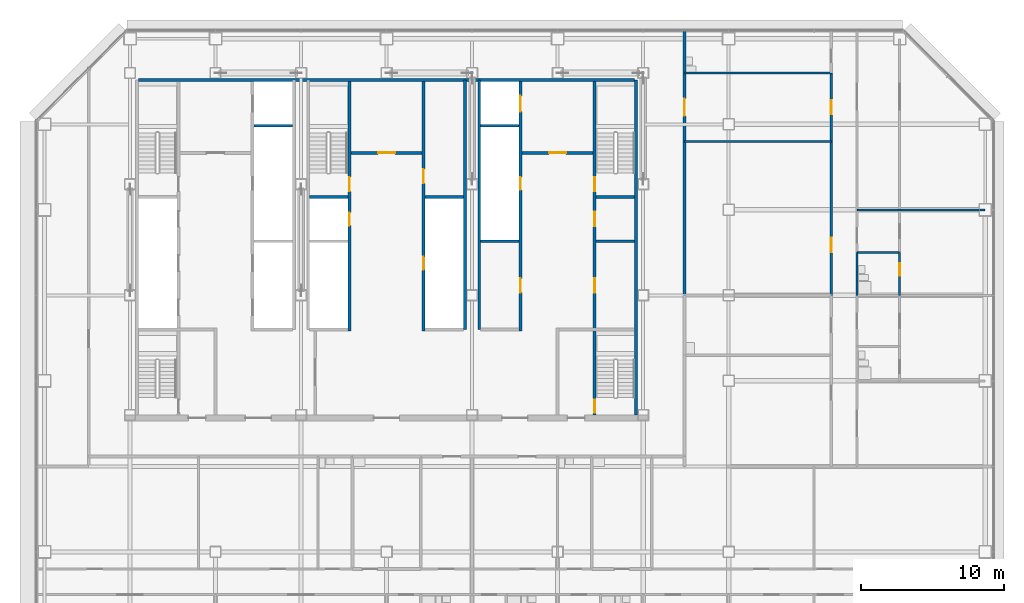
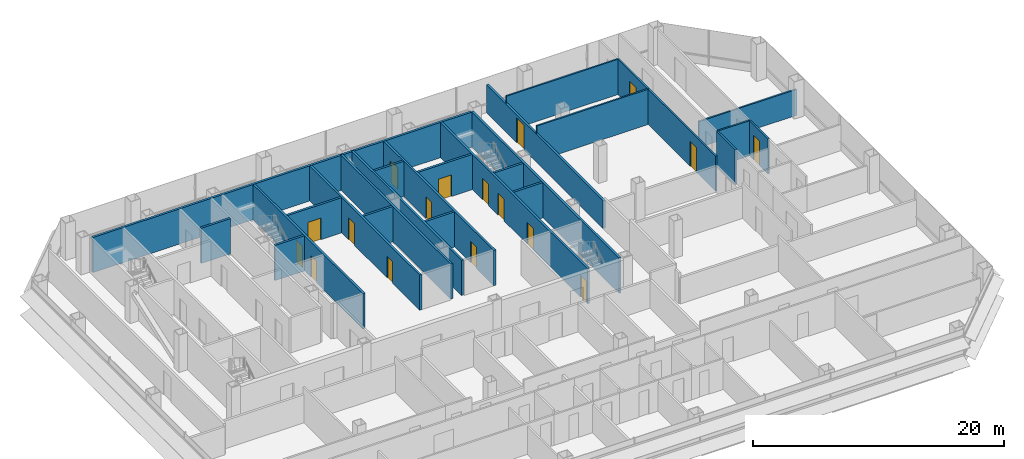
# One storey, part 23 of 26: 25 walls, 17 doors, 17 openings.
"""IFC4 building model written with IfcOpenShell, lengths in metres."""

from ifc_helpers import new_model, si_unit, direction, frame, frame_2d, origin, place, context, subcontext, project, spatial, rectangle, extrude, material, layer, layer_set, type_object, element, fill, save


model = new_model("IFC4")

# Units and contexts
model_context = context("Model", 3, precision=1e-05, world=origin(), true_north=direction((0.0, 1.0)))
body_context = subcontext(model_context, "Body", "Model", "MODEL_VIEW")
ifc_project = project(units=[si_unit("LENGTHUNIT", "METRE"), si_unit("AREAUNIT", "SQUARE_METRE"), si_unit("VOLUMEUNIT", "CUBIC_METRE"), si_unit("PLANEANGLEUNIT", "RADIAN"), si_unit("MASSUNIT", "GRAM", prefix="KILO")], contexts=[model_context])

# Site, building, storey
site_placement = place(None, origin())
site = spatial("IfcSite", under=ifc_project, at=site_placement, CompositionType="ELEMENT")
building_placement = place(site_placement, origin())
building = spatial("IfcBuilding", under=site, at=building_placement, Name="Sorahane Residences", CompositionType="ELEMENT")
storey_placement = place(building_placement, frame((0.0, 0.0, 71.39990234375)))
storey = spatial("IfcBuildingStorey", under=building, at=storey_placement, Name="L14", CompositionType="ELEMENT", Elevation=71.39990234375)

# Walls
ifc_material_1 = material(Name="Concrete C30", Category="concrete")
ifc_layer_1 = layer(ifc_material_1, 0.199951171875)
ifc_layer_set_1 = layer_set([ifc_layer_1], Name="Core face wall 200 EI 180")
wall_type_1 = type_object("IfcWallType", Name="Core face wall 200 EI 180", PredefinedType="SOLIDWALL", material=ifc_layer_set_1)
wall_1_placement = place(storey_placement, frame((41.5, 21.60009765625, 0.0), z_axis=(0.0, 0.0, 1.0), x_axis=(0.0, 1.0, 0.0)))
element("IfcWall", 1, at=wall_1_placement, inside=storey, type_object=wall_type_1, Name="L14 core face wall", PredefinedType="SOLIDWALL", context=body_context, shape_type="SweptSolid", body=[
    extrude(rectangle(XDim=23.5, YDim=0.199951171875, at=frame_2d((11.75, 0.0))), origin(), (0.0, 0.0, 1.0), 3.420166015625),
])
wall_2_placement = place(storey_placement, frame((6.60009765625, 45.10009765625, 0.0), z_axis=(0.0, 0.0, 1.0), x_axis=(1.0, 0.0, 0.0)))
element("IfcWall", 2, at=wall_2_placement, inside=storey, type_object=wall_type_1, Name="L14 core face wall", PredefinedType="SOLIDWALL", context=body_context, shape_type="SweptSolid", body=[
    extrude(rectangle(XDim=34.7998046875, YDim=0.199951171875, at=frame_2d((17.39990234375, 0.0))), origin(), (0.0, 0.0, 1.0), 3.420166015625),
])
for number, where, z_axis, x_axis, name in (
    (3, (29.5, 27.60009765625, 0.0), (0.0, 0.0, 1.0), (0.0, 1.0, 0.0), "L14 core face wall"),
    (4, (30.5, 27.60009765625, 0.0), (0.0, 0.0, 1.0), (0.0, 1.0, 0.0), "L14 core face wall"),
):
    element("IfcWall", number, at=place(storey_placement, frame(where, z_axis=z_axis, x_axis=x_axis)), inside=storey, type_object=wall_type_1, Name=name, PredefinedType="SOLIDWALL", context=body_context, shape_type="SweptSolid", body=[
        extrude(rectangle(XDim=17.5, YDim=0.199951171875, at=frame_2d((8.75, 0.0))), origin(), (0.0, 0.0, 1.0), 3.420166015625),
    ])

# Wall, opening, door
ifc_material_2 = material(Name="Concrete blockwork C20 wall", Category="masonry")
ifc_layer_2 = layer(ifc_material_2, 0.199951171875)
ifc_layer_set_2 = layer_set([ifc_layer_2], Name="Corridor wall 200 EI 120")
wall_type_2 = type_object("IfcWallType", Name="Corridor wall 200 EI 120", PredefinedType="SOLIDWALL", material=ifc_layer_set_2)
wall_3_placement = place(storey_placement, frame((44.89990234375, 30.0, 0.0), z_axis=(0.0, 0.0, 1.0), x_axis=(0.0, 1.0, 0.0)))
wall_3 = element("IfcWall", 5, at=wall_3_placement, inside=storey, type_object=wall_type_2, Name="L14 corridor wall", PredefinedType="SOLIDWALL", context=body_context, shape_type="SweptSolid", body=[
    extrude(rectangle(XDim=18.60009765625, YDim=0.199951171875, at=frame_2d((9.300048828125, 0.0))), origin(), (0.0, 0.0, 1.0), 2.72021484375),
])
opening_1_placement = place(wall_3_placement, frame((12.60009765625, 0.0, 0.0)))
opening_1 = element("IfcOpeningElement", 6, at=opening_1_placement, cuts=wall_3, Name="Opening L14-44", PredefinedType="OPENING", context=body_context, shape_type="SweptSolid", body=[
    extrude(rectangle(XDim=1.199951171875, YDim=2.39990234375, at=frame_2d((0.60009765625, 1.199951171875))), frame((0.0, 0.10986328125, 0.0), z_axis=(0.0, -1.0, 0.0), x_axis=(1.0, 0.0, 0.0)), (0.0, 0.0, 1.0), 0.219970703125),
])
ifc_material_3 = material(Name="Timber veneered fire door", Category="wood")
door_type_1 = type_object("IfcDoorType", Name="Flat entrance door 1200x2400 FD60", OperationType="NOTDEFINED", PredefinedType="DOOR", material=ifc_material_3)
door_1_placement = place(opening_1_placement, frame((1.199951171875, 0.0, 0.0), z_axis=(0.0, 0.0, 1.0), x_axis=(-1.0, 0.0, 0.0)))
door_1 = element("IfcDoor", 7, at=door_1_placement, inside=storey, type_object=door_type_1, Name="Flat entrance door L14-44", OperationType="SINGLE_SWING_RIGHT", OverallHeight=2.39990234375, OverallWidth=1.199951171875, PredefinedType="DOOR", context=body_context, shape_type="SweptSolid", body=[
    extrude(rectangle(XDim=1.199951171875, YDim=2.39990234375, at=frame_2d((0.60009765625, 1.199951171875))), frame((0.0, 0.02490234375, 0.0), z_axis=(0.0, -1.0, 0.0), x_axis=(1.0, 0.0, 0.0)), (0.0, 0.0, 1.0), 0.050048828125),
])
fill(opening_1, door_1)

ifc_material_4 = material(Name="Concrete C30", Category="concrete")
ifc_layer_3 = layer(ifc_material_4, 0.199951171875)
ifc_layer_set_3 = layer_set([ifc_layer_3], Name="Front room wall 200 EI 120")
wall_type_3 = type_object("IfcWallType", Name="Front room wall 200 EI 120", PredefinedType="PARTITIONING", material=ifc_layer_set_3)
wall_4_placement = place(storey_placement, frame((21.5, 40.0, 0.0), z_axis=(0.0, 0.0, 1.0), x_axis=(1.0, 0.0, 0.0)))
wall_4 = element("IfcWall", 8, at=wall_4_placement, inside=storey, type_object=wall_type_3, Name="L14 front room wall", PredefinedType="PARTITIONING", context=body_context, shape_type="SweptSolid", body=[
    extrude(rectangle(XDim=5.0, YDim=0.199951171875, at=frame_2d((2.5, 0.0))), origin(), (0.0, 0.0, 1.0), 3.420166015625),
])
opening_2_placement = place(wall_4_placement, frame((1.89990234375, 0.0, 0.0)))
opening_2 = element("IfcOpeningElement", 9, at=opening_2_placement, cuts=wall_4, Name="Opening L14-C08", PredefinedType="OPENING", context=body_context, shape_type="SweptSolid", body=[
    extrude(rectangle(XDim=1.199951171875, YDim=2.10009765625, at=frame_2d((0.60009765625, 1.050048828125))), frame((0.0, 0.10986328125, 0.0), z_axis=(0.0, -1.0, 0.0), x_axis=(1.0, 0.0, 0.0)), (0.0, 0.0, 1.0), 0.219970703125),
])
ifc_material_5 = material(Name="Steel", Category="steel")
door_type_2 = type_object("IfcDoorType", Name="Front room door 1200x2100 FD120", OperationType="NOTDEFINED", PredefinedType="DOOR", material=ifc_material_5)
door_2_placement = place(opening_2_placement, frame((1.199951171875, 0.0, 0.0), z_axis=(0.0, 0.0, 1.0), x_axis=(-1.0, 0.0, 0.0)))
door_2 = element("IfcDoor", 10, at=door_2_placement, inside=storey, type_object=door_type_2, Name="Front room door Stair S3 vestibule L14", OperationType="DOUBLE_DOOR_SINGLE_SWING", OverallHeight=2.10009765625, OverallWidth=1.199951171875, PredefinedType="DOOR", context=body_context, shape_type="SweptSolid", body=[
    extrude(rectangle(XDim=1.199951171875, YDim=2.10009765625, at=frame_2d((0.60009765625, 1.050048828125))), frame((0.0, 0.02490234375, 0.0), z_axis=(0.0, -1.0, 0.0), x_axis=(1.0, 0.0, 0.0)), (0.0, 0.0, 1.0), 0.050048828125),
])
fill(opening_2, door_2)

wall_5_placement = place(storey_placement, frame((33.5, 40.0, 0.0), z_axis=(0.0, 0.0, 1.0), x_axis=(1.0, 0.0, 0.0)))
wall_5 = element("IfcWall", 11, at=wall_5_placement, inside=storey, type_object=wall_type_3, Name="L14 front room wall", PredefinedType="PARTITIONING", context=body_context, shape_type="SweptSolid", body=[
    extrude(rectangle(XDim=5.0, YDim=0.199951171875, at=frame_2d((2.5, 0.0))), origin(), (0.0, 0.0, 1.0), 3.420166015625),
])
opening_3_placement = place(wall_5_placement, frame((1.89990234375, 0.0, 0.0)))
opening_3 = element("IfcOpeningElement", 12, at=opening_3_placement, cuts=wall_5, Name="Opening L14-C09", PredefinedType="OPENING", context=body_context, shape_type="SweptSolid", body=[
    extrude(rectangle(XDim=1.199951171875, YDim=2.10009765625, at=frame_2d((0.60009765625, 1.050048828125))), frame((0.0, 0.10986328125, 0.0), z_axis=(0.0, -1.0, 0.0), x_axis=(1.0, 0.0, 0.0)), (0.0, 0.0, 1.0), 0.219970703125),
])
door_3_placement = place(opening_3_placement, frame((1.199951171875, 0.0, 0.0), z_axis=(0.0, 0.0, 1.0), x_axis=(-1.0, 0.0, 0.0)))
door_3 = element("IfcDoor", 13, at=door_3_placement, inside=storey, type_object=door_type_2, Name="Front room door Firefighting lobby FF2 front room L14", OperationType="DOUBLE_DOOR_SINGLE_SWING", OverallHeight=2.10009765625, OverallWidth=1.199951171875, PredefinedType="DOOR", context=body_context, shape_type="SweptSolid", body=[
    extrude(rectangle(XDim=1.199951171875, YDim=2.10009765625, at=frame_2d((0.60009765625, 1.050048828125))), frame((0.0, 0.02490234375, 0.0), z_axis=(0.0, -1.0, 0.0), x_axis=(1.0, 0.0, 0.0)), (0.0, 0.0, 1.0), 0.050048828125),
])
fill(opening_3, door_3)

# Wall, openings, doors
ifc_material_6 = material(Name="Concrete C30", Category="concrete")
ifc_layer_4 = layer(ifc_material_6, 0.199951171875)
ifc_layer_set_4 = layer_set([ifc_layer_4], Name="Lift shaft wall 200 EI 120")
wall_type_4 = type_object("IfcWallType", Name="Lift shaft wall 200 EI 120", PredefinedType="SOLIDWALL", material=ifc_layer_set_4)
wall_6_placement = place(storey_placement, frame((33.39990234375, 27.5, 0.0), z_axis=(0.0, 0.0, 1.0), x_axis=(0.0, 1.0, 0.0)))
wall_6 = element("IfcWall", 14, at=wall_6_placement, inside=storey, type_object=wall_type_4, Name="L14 lift shaft wall", PredefinedType="SOLIDWALL", context=body_context, shape_type="SweptSolid", body=[
    extrude(rectangle(XDim=17.5, YDim=0.199951171875, at=frame_2d((8.75, 0.0))), origin(), (0.0, 0.0, 1.0), 3.420166015625),
])
opening_4_placement = place(wall_6_placement, frame((15.39990234375, 0.0, 0.0)))
opening_4 = element("IfcOpeningElement", 15, at=opening_4_placement, cuts=wall_6, Name="Opening L14-C10", PredefinedType="OPENING", context=body_context, shape_type="SweptSolid", body=[
    extrude(rectangle(XDim=1.10009765625, YDim=2.10009765625, at=frame_2d((0.550048828125, 1.050048828125))), frame((0.0, 0.10986328125, 0.0), z_axis=(0.0, -1.0, 0.0), x_axis=(1.0, 0.0, 0.0)), (0.0, 0.0, 1.0), 0.219970703125),
])
opening_5_placement = place(wall_6_placement, frame((2.699951171875, 0.0, 0.0)))
opening_5 = element("IfcOpeningElement", 16, at=opening_5_placement, cuts=wall_6, Name="Opening L14-C19", PredefinedType="OPENING", context=body_context, shape_type="SweptSolid", body=[
    extrude(rectangle(XDim=1.0, YDim=2.10009765625, at=frame_2d((0.5, 1.050048828125))), frame((0.0, 0.10986328125, 0.0), z_axis=(0.0, -1.0, 0.0), x_axis=(1.0, 0.0, 0.0)), (0.0, 0.0, 1.0), 0.219970703125),
])
opening_6_placement = place(wall_6_placement, frame((9.89990234375, 0.0, 0.0)))
opening_6 = element("IfcOpeningElement", 17, at=opening_6_placement, cuts=wall_6, Name="Opening L14-C26", PredefinedType="OPENING", context=body_context, shape_type="SweptSolid", body=[
    extrude(rectangle(XDim=0.89990234375, YDim=2.10009765625, at=frame_2d((0.449951171875, 1.050048828125))), frame((0.0, 0.10986328125, 0.0), z_axis=(0.0, -1.0, 0.0), x_axis=(1.0, 0.0, 0.0)), (0.0, 0.0, 1.0), 0.219970703125),
])
ifc_material_7 = material(Name="Aluminium and stainless steel", Category="steel")
door_type_3 = type_object("IfcDoorType", Name="Lift landing door 1100x2100 E 60", OperationType="NOTDEFINED", PredefinedType="DOOR", material=ifc_material_7)
door_4_placement = place(opening_4_placement, origin())
door_4 = element("IfcDoor", 18, at=door_4_placement, inside=storey, type_object=door_type_3, Name="Lift landing door FF2 L14", OperationType="DOUBLE_DOOR_SLIDING", OverallHeight=2.10009765625, OverallWidth=1.10009765625, PredefinedType="DOOR", context=body_context, shape_type="SweptSolid", body=[
    extrude(rectangle(XDim=1.10009765625, YDim=2.10009765625, at=frame_2d((0.550048828125, 1.050048828125))), frame((0.0, 0.02490234375, 0.0), z_axis=(0.0, -1.0, 0.0), x_axis=(1.0, 0.0, 0.0)), (0.0, 0.0, 1.0), 0.050048828125),
])
fill(opening_4, door_4)
ifc_material_8 = material(Name="Steel", Category="steel")
door_type_4 = type_object("IfcDoorType", Name="Riser door 900x2100 FD120", OperationType="NOTDEFINED", PredefinedType="DOOR", material=ifc_material_8)
door_5_placement = place(opening_6_placement, frame((0.89990234375, 0.0, 0.0), z_axis=(0.0, 0.0, 1.0), x_axis=(-1.0, 0.0, 0.0)))
door_5 = element("IfcDoor", 19, at=door_5_placement, inside=storey, type_object=door_type_4, Name="Riser door R2 L14", OperationType="SINGLE_SWING_LEFT", OverallHeight=2.10009765625, OverallWidth=0.89990234375, PredefinedType="DOOR", context=body_context, shape_type="SweptSolid", body=[
    extrude(rectangle(XDim=0.89990234375, YDim=2.10009765625, at=frame_2d((0.449951171875, 1.050048828125))), frame((0.0, 0.02490234375, 0.0), z_axis=(0.0, -1.0, 0.0), x_axis=(1.0, 0.0, 0.0)), (0.0, 0.0, 1.0), 0.050048828125),
])
fill(opening_6, door_5)
ifc_material_9 = material(Name="Steel", Category="steel")
door_type_5 = type_object("IfcDoorType", Name="Service room door 1000x2100 FD60", OperationType="NOTDEFINED", PredefinedType="DOOR", material=ifc_material_9)
door_6_placement = place(opening_5_placement, origin())
door_6 = element("IfcDoor", 20, at=door_6_placement, inside=storey, type_object=door_type_5, Name="Service room door Flower room L14", OperationType="SINGLE_SWING_RIGHT", OverallHeight=2.10009765625, OverallWidth=1.0, PredefinedType="DOOR", context=body_context, shape_type="SweptSolid", body=[
    extrude(rectangle(XDim=1.0, YDim=2.10009765625, at=frame_2d((0.5, 1.050048828125))), frame((0.0, 0.02490234375, 0.0), z_axis=(0.0, -1.0, 0.0), x_axis=(1.0, 0.0, 0.0)), (0.0, 0.0, 1.0), 0.050048828125),
])
fill(opening_5, door_6)

# Walls
for number, where, z_axis, x_axis, name in (
    (21, (14.699951171875, 41.89990234375, 0.0), (0.0, 0.0, 1.0), (1.0, 0.0, 0.0), "L14 lift shaft wall"),
    (22, (30.60009765625, 41.89990234375, 0.0), (0.0, 0.0, 1.0), (1.0, 0.0, 0.0), "L14 lift shaft wall"),
):
    element("IfcWall", number, at=place(storey_placement, frame(where, z_axis=z_axis, x_axis=x_axis)), inside=storey, type_object=wall_type_4, Name=name, PredefinedType="SOLIDWALL", context=body_context, shape_type="SweptSolid", body=[
        extrude(rectangle(XDim=2.699951171875, YDim=0.199951171875, at=frame_2d((1.35009765625, 0.0))), origin(), (0.0, 0.0, 1.0), 3.420166015625),
    ])

# Wall, openings, doors
ifc_material_10 = material(Name="Gypsum board partition on steel studs", Category="steel")
ifc_layer_5 = layer(ifc_material_10, 0.14990234375)
ifc_layer_set_5 = layer_set([ifc_layer_5], Name="Partition 150 EI 90")
wall_type_5 = type_object("IfcWallType", Name="Partition 150 EI 90", PredefinedType="PARTITIONING", material=ifc_layer_set_5)
wall_7_placement = place(storey_placement, frame((55.199951171875, 30.0, 0.0), z_axis=(0.0, 0.0, 1.0), x_axis=(0.0, 1.0, 0.0)))
wall_7 = element("IfcWall", 23, at=wall_7_placement, inside=storey, type_object=wall_type_5, Name="L14 partition", PredefinedType="PARTITIONING", context=body_context, shape_type="SweptSolid", body=[
    extrude(rectangle(XDim=15.60009765625, YDim=0.14990234375, at=frame_2d((7.800048828125, 0.0))), origin(), (0.0, 0.0, 1.0), 3.420166015625),
])
opening_7_placement = place(wall_7_placement, frame((12.699951171875, 0.0, 0.0)))
opening_7 = element("IfcOpeningElement", 24, at=opening_7_placement, cuts=wall_7, Name="Opening L14-28", PredefinedType="OPENING", context=body_context, shape_type="SweptSolid", body=[
    extrude(rectangle(XDim=1.0, YDim=2.39990234375, at=frame_2d((0.5, 1.199951171875))), frame((0.0, 0.0849609375, 0.0), z_axis=(0.0, -1.0, 0.0), x_axis=(1.0, 0.0, 0.0)), (0.0, 0.0, 1.0), 0.169921875),
])
opening_8_placement = place(wall_7_placement, frame((3.0400390625, 0.0, 0.0)))
opening_8 = element("IfcOpeningElement", 25, at=opening_8_placement, cuts=wall_7, Name="Opening L14-31", PredefinedType="OPENING", context=body_context, shape_type="SweptSolid", body=[
    extrude(rectangle(XDim=1.0, YDim=2.39990234375, at=frame_2d((0.5, 1.199951171875))), frame((0.0, 0.0849609375, 0.0), z_axis=(0.0, -1.0, 0.0), x_axis=(1.0, 0.0, 0.0)), (0.0, 0.0, 1.0), 0.169921875),
])
ifc_material_11 = material(Name="Timber veneered fire door", Category="wood")
door_type_6 = type_object("IfcDoorType", Name="Room door 1000x2400 FD30", OperationType="NOTDEFINED", PredefinedType="DOOR", material=ifc_material_11)
door_7_placement = place(opening_7_placement, frame((1.0, 0.0, 0.0), z_axis=(0.0, 0.0, 1.0), x_axis=(-1.0, 0.0, 0.0)))
door_7 = element("IfcDoor", 26, at=door_7_placement, inside=storey, type_object=door_type_6, Name="Room door L14-28", OperationType="SINGLE_SWING_RIGHT", OverallHeight=2.39990234375, OverallWidth=1.0, PredefinedType="DOOR", context=body_context, shape_type="SweptSolid", body=[
    extrude(rectangle(XDim=1.0, YDim=2.39990234375, at=frame_2d((0.5, 1.199951171875))), frame((0.0, 0.02490234375, 0.0), z_axis=(0.0, -1.0, 0.0), x_axis=(1.0, 0.0, 0.0)), (0.0, 0.0, 1.0), 0.050048828125),
])
fill(opening_7, door_7)
door_8_placement = place(opening_8_placement, origin())
door_8 = element("IfcDoor", 27, at=door_8_placement, inside=storey, type_object=door_type_6, Name="Room door L14-31", OperationType="SINGLE_SWING_LEFT", OverallHeight=2.39990234375, OverallWidth=1.0, PredefinedType="DOOR", context=body_context, shape_type="SweptSolid", body=[
    extrude(rectangle(XDim=1.0, YDim=2.39990234375, at=frame_2d((0.5, 1.199951171875))), frame((0.0, 0.02490234375, 0.0), z_axis=(0.0, -1.0, 0.0), x_axis=(1.0, 0.0, 0.0)), (0.0, 0.0, 1.0), 0.050048828125),
])
fill(opening_8, door_8)

# Walls
wall_8_placement = place(storey_placement, frame((57.0, 36.0, 0.0), z_axis=(0.0, 0.0, 1.0), x_axis=(1.0, 0.0, 0.0)))
element("IfcWall", 28, at=wall_8_placement, inside=storey, type_object=wall_type_5, Name="L14 partition", PredefinedType="PARTITIONING", context=body_context, shape_type="SweptSolid", body=[
    extrude(rectangle(XDim=9.0, YDim=0.14990234375, at=frame_2d((4.5, 0.0))), origin(), (0.0, 0.0, 1.0), 2.52001953125),
])
wall_9_placement = place(storey_placement, frame((44.89990234375, 40.800048828125, 0.0), z_axis=(0.0, 0.0, 1.0), x_axis=(1.0, 0.0, 0.0)))
element("IfcWall", 29, at=wall_9_placement, inside=storey, type_object=wall_type_5, Name="L14 partition", PredefinedType="PARTITIONING", context=body_context, shape_type="SweptSolid", body=[
    extrude(rectangle(XDim=10.300048828125, YDim=0.14990234375, at=frame_2d((5.14990234375, 0.0))), origin(), (0.0, 0.0, 1.0), 3.420166015625),
])

# Wall, openings, doors
ifc_material_12 = material(Name="Concrete C30", Category="concrete")
ifc_layer_6 = layer(ifc_material_12, 0.199951171875)
ifc_layer_set_6 = layer_set([ifc_layer_6], Name="Riser shaft wall 200 EI 120")
wall_type_6 = type_object("IfcWallType", Name="Riser shaft wall 200 EI 120", PredefinedType="SOLIDWALL", material=ifc_layer_set_6)
wall_10_placement = place(storey_placement, frame((26.60009765625, 27.5, 0.0), z_axis=(0.0, 0.0, 1.0), x_axis=(0.0, 1.0, 0.0)))
wall_10 = element("IfcWall", 30, at=wall_10_placement, inside=storey, type_object=wall_type_6, Name="L14 riser wall", PredefinedType="SOLIDWALL", context=body_context, shape_type="SweptSolid", body=[
    extrude(rectangle(XDim=17.5, YDim=0.199951171875, at=frame_2d((8.75, 0.0))), origin(), (0.0, 0.0, 1.0), 3.420166015625),
])
opening_9_placement = place(wall_10_placement, frame((4.300048828125, 0.0, 0.0)))
opening_9 = element("IfcOpeningElement", 31, at=opening_9_placement, cuts=wall_10, Name="Opening L14-C28", PredefinedType="OPENING", context=body_context, shape_type="SweptSolid", body=[
    extrude(rectangle(XDim=0.89990234375, YDim=2.10009765625, at=frame_2d((0.449951171875, 1.050048828125))), frame((0.0, 0.10986328125, 0.0), z_axis=(0.0, -1.0, 0.0), x_axis=(1.0, 0.0, 0.0)), (0.0, 0.0, 1.0), 0.219970703125),
])
opening_10_placement = place(wall_10_placement, frame((10.35009765625, 0.0, 0.0)))
opening_10 = element("IfcOpeningElement", 32, at=opening_10_placement, cuts=wall_10, Name="Opening L14-C29", PredefinedType="OPENING", context=body_context, shape_type="SweptSolid", body=[
    extrude(rectangle(XDim=1.0, YDim=2.10009765625, at=frame_2d((0.5, 1.050048828125))), frame((0.0, 0.10986328125, 0.0), z_axis=(0.0, -1.0, 0.0), x_axis=(1.0, 0.0, 0.0)), (0.0, 0.0, 1.0), 0.219970703125),
])
door_9_placement = place(opening_9_placement, origin())
door_9 = element("IfcDoor", 33, at=door_9_placement, inside=storey, type_object=door_type_4, Name="Riser door R4 L14", OperationType="SINGLE_SWING_LEFT", OverallHeight=2.10009765625, OverallWidth=0.89990234375, PredefinedType="DOOR", context=body_context, shape_type="SweptSolid", body=[
    extrude(rectangle(XDim=0.89990234375, YDim=2.10009765625, at=frame_2d((0.449951171875, 1.050048828125))), frame((0.0, 0.02490234375, 0.0), z_axis=(0.0, -1.0, 0.0), x_axis=(1.0, 0.0, 0.0)), (0.0, 0.0, 1.0), 0.050048828125),
])
fill(opening_9, door_9)
door_10_placement = place(opening_10_placement, frame((1.0, 0.0, 0.0), z_axis=(0.0, 0.0, 1.0), x_axis=(-1.0, 0.0, 0.0)))
door_10 = element("IfcDoor", 34, at=door_10_placement, inside=storey, type_object=door_type_5, Name="Service room door Housekeeping store L14", OperationType="SINGLE_SWING_LEFT", OverallHeight=2.10009765625, OverallWidth=1.0, PredefinedType="DOOR", context=body_context, shape_type="SweptSolid", body=[
    extrude(rectangle(XDim=1.0, YDim=2.10009765625, at=frame_2d((0.5, 1.050048828125))), frame((0.0, 0.02490234375, 0.0), z_axis=(0.0, -1.0, 0.0), x_axis=(1.0, 0.0, 0.0)), (0.0, 0.0, 1.0), 0.050048828125),
])
fill(opening_10, door_10)

# Walls
for number, where, z_axis, x_axis, name in (
    (35, (30.60009765625, 33.800048828125, 0.0), (0.0, 0.0, 1.0), (1.0, 0.0, 0.0), "L14 riser wall"),
    (36, (26.699951171875, 36.89990234375, 0.0), (0.0, 0.0, 1.0), (1.0, 0.0, 0.0), "L14 riser wall"),
):
    element("IfcWall", number, at=place(storey_placement, frame(where, z_axis=z_axis, x_axis=x_axis)), inside=storey, type_object=wall_type_6, Name=name, PredefinedType="SOLIDWALL", context=body_context, shape_type="SweptSolid", body=[
        extrude(rectangle(XDim=2.699951171875, YDim=0.199951171875, at=frame_2d((1.35009765625, 0.0))), origin(), (0.0, 0.0, 1.0), 3.420166015625),
    ])
ifc_material_13 = material(Name="Concrete C30", Category="concrete")
ifc_layer_7 = layer(ifc_material_13, 0.199951171875)
ifc_layer_set_7 = layer_set([ifc_layer_7], Name="Service room partition 200 EI 60")
wall_type_7 = type_object("IfcWallType", Name="Service room partition 200 EI 60", PredefinedType="PARTITIONING", material=ifc_layer_set_7)
wall_11_placement = place(storey_placement, frame((38.699951171875, 33.800048828125, 0.0), z_axis=(0.0, 0.0, 1.0), x_axis=(1.0, 0.0, 0.0)))
element("IfcWall", 37, at=wall_11_placement, inside=storey, type_object=wall_type_7, Name="L14 service room wall", PredefinedType="PARTITIONING", context=body_context, shape_type="SweptSolid", body=[
    extrude(rectangle(XDim=2.699951171875, YDim=0.199951171875, at=frame_2d((1.35009765625, 0.0))), origin(), (0.0, 0.0, 1.0), 3.420166015625),
])

# Wall, openings, doors
ifc_material_14 = material(Name="Concrete C30", Category="concrete")
ifc_layer_8 = layer(ifc_material_14, 0.199951171875)
ifc_layer_set_8 = layer_set([ifc_layer_8], Name="Stair enclosure wall 200 EI 120")
wall_type_8 = type_object("IfcWallType", Name="Stair enclosure wall 200 EI 120", PredefinedType="SOLIDWALL", material=ifc_layer_set_8)
wall_12_placement = place(storey_placement, frame((21.39990234375, 27.5, 0.0), z_axis=(0.0, 0.0, 1.0), x_axis=(0.0, 1.0, 0.0)))
wall_12 = element("IfcWall", 38, at=wall_12_placement, inside=storey, type_object=wall_type_8, Name="L14 stair enclosure wall", PredefinedType="SOLIDWALL", context=body_context, shape_type="SweptSolid", body=[
    extrude(rectangle(XDim=17.5, YDim=0.199951171875, at=frame_2d((8.75, 0.0))), origin(), (0.0, 0.0, 1.0), 3.420166015625),
])
opening_11_placement = place(wall_12_placement, frame((9.800048828125, 0.0, 0.0)))
opening_11 = element("IfcOpeningElement", 39, at=opening_11_placement, cuts=wall_12, Name="Opening L14-C22", PredefinedType="OPENING", context=body_context, shape_type="SweptSolid", body=[
    extrude(rectangle(XDim=1.0, YDim=2.10009765625, at=frame_2d((0.5, 1.050048828125))), frame((0.0, 0.10986328125, 0.0), z_axis=(0.0, -1.0, 0.0), x_axis=(1.0, 0.0, 0.0)), (0.0, 0.0, 1.0), 0.219970703125),
])
opening_12_placement = place(wall_12_placement, frame((7.39990234375, 0.0, 0.0)))
opening_12 = element("IfcOpeningElement", 40, at=opening_12_placement, cuts=wall_12, Name="Opening L14-C27", PredefinedType="OPENING", context=body_context, shape_type="SweptSolid", body=[
    extrude(rectangle(XDim=0.89990234375, YDim=2.10009765625, at=frame_2d((0.449951171875, 1.050048828125))), frame((0.0, 0.10986328125, 0.0), z_axis=(0.0, -1.0, 0.0), x_axis=(1.0, 0.0, 0.0)), (0.0, 0.0, 1.0), 0.219970703125),
])
door_11_placement = place(opening_12_placement, frame((0.89990234375, 0.0, 0.0), z_axis=(0.0, 0.0, 1.0), x_axis=(-1.0, 0.0, 0.0)))
door_11 = element("IfcDoor", 41, at=door_11_placement, inside=storey, type_object=door_type_4, Name="Riser door R3 L14", OperationType="SINGLE_SWING_LEFT", OverallHeight=2.10009765625, OverallWidth=0.89990234375, PredefinedType="DOOR", context=body_context, shape_type="SweptSolid", body=[
    extrude(rectangle(XDim=0.89990234375, YDim=2.10009765625, at=frame_2d((0.449951171875, 1.050048828125))), frame((0.0, 0.02490234375, 0.0), z_axis=(0.0, -1.0, 0.0), x_axis=(1.0, 0.0, 0.0)), (0.0, 0.0, 1.0), 0.050048828125),
])
fill(opening_12, door_11)
ifc_material_15 = material(Name="Steel", Category="steel")
door_type_7 = type_object("IfcDoorType", Name="Stair door 1000x2100 FD120", OperationType="NOTDEFINED", PredefinedType="DOOR", material=ifc_material_15)
door_12_placement = place(opening_11_placement, origin())
door_12 = element("IfcDoor", 42, at=door_12_placement, inside=storey, type_object=door_type_7, Name="Stair door S3 L14", OperationType="SINGLE_SWING_LEFT", OverallHeight=2.10009765625, OverallWidth=1.0, PredefinedType="DOOR", context=body_context, shape_type="SweptSolid", body=[
    extrude(rectangle(XDim=1.0, YDim=2.10009765625, at=frame_2d((0.5, 1.050048828125))), frame((0.0, 0.02490234375, 0.0), z_axis=(0.0, -1.0, 0.0), x_axis=(1.0, 0.0, 0.0)), (0.0, 0.0, 1.0), 0.050048828125),
])
fill(opening_11, door_12)

wall_13_placement = place(storey_placement, frame((38.60009765625, 21.60009765625, 0.0), z_axis=(0.0, 0.0, 1.0), x_axis=(0.0, 1.0, 0.0)))
wall_13 = element("IfcWall", 43, at=wall_13_placement, inside=storey, type_object=wall_type_8, Name="L14 stair enclosure wall", PredefinedType="SOLIDWALL", context=body_context, shape_type="SweptSolid", body=[
    extrude(rectangle(XDim=23.39990234375, YDim=0.199951171875, at=frame_2d((11.699951171875, 0.0))), origin(), (0.0, 0.0, 1.0), 3.420166015625),
])
opening_13_placement = place(wall_13_placement, frame((8.60009765625, 0.0, 0.0)))
opening_13 = element("IfcOpeningElement", 44, at=opening_13_placement, cuts=wall_13, Name="Opening L14-C17", PredefinedType="OPENING", context=body_context, shape_type="SweptSolid", body=[
    extrude(rectangle(XDim=1.0, YDim=2.10009765625, at=frame_2d((0.5, 1.050048828125))), frame((0.0, 0.10986328125, 0.0), z_axis=(0.0, -1.0, 0.0), x_axis=(1.0, 0.0, 0.0)), (0.0, 0.0, 1.0), 0.219970703125),
])
opening_14_placement = place(wall_13_placement, frame((13.25, 0.0, 0.0)))
opening_14 = element("IfcOpeningElement", 45, at=opening_14_placement, cuts=wall_13, Name="Opening L14-C18", PredefinedType="OPENING", context=body_context, shape_type="SweptSolid", body=[
    extrude(rectangle(XDim=1.0, YDim=2.10009765625, at=frame_2d((0.5, 1.050048828125))), frame((0.0, 0.10986328125, 0.0), z_axis=(0.0, -1.0, 0.0), x_axis=(1.0, 0.0, 0.0)), (0.0, 0.0, 1.0), 0.219970703125),
])
opening_15_placement = place(wall_13_placement, frame((15.699951171875, 0.0, 0.0)))
opening_15 = element("IfcOpeningElement", 46, at=opening_15_placement, cuts=wall_13, Name="Opening L14-C21", PredefinedType="OPENING", context=body_context, shape_type="SweptSolid", body=[
    extrude(rectangle(XDim=1.0, YDim=2.10009765625, at=frame_2d((0.5, 1.050048828125))), frame((0.0, 0.10986328125, 0.0), z_axis=(0.0, -1.0, 0.0), x_axis=(1.0, 0.0, 0.0)), (0.0, 0.0, 1.0), 0.219970703125),
])
opening_16_placement = place(wall_13_placement, frame((0.175048828125, 0.0, 0.0)))
opening_16 = element("IfcOpeningElement", 47, at=opening_16_placement, cuts=wall_13, Name="Opening L14-C24", PredefinedType="OPENING", context=body_context, shape_type="SweptSolid", body=[
    extrude(rectangle(XDim=0.89990234375, YDim=2.10009765625, at=frame_2d((0.449951171875, 1.050048828125))), frame((0.0, 0.10986328125, 0.0), z_axis=(0.0, -1.0, 0.0), x_axis=(1.0, 0.0, 0.0)), (0.0, 0.0, 1.0), 0.219970703125),
])
door_13_placement = place(opening_13_placement, frame((1.0, 0.0, 0.0), z_axis=(0.0, 0.0, 1.0), x_axis=(-1.0, 0.0, 0.0)))
door_13 = element("IfcDoor", 48, at=door_13_placement, inside=storey, type_object=door_type_5, Name="Service room door Flower room L14", OperationType="SINGLE_SWING_RIGHT", OverallHeight=2.10009765625, OverallWidth=1.0, PredefinedType="DOOR", context=body_context, shape_type="SweptSolid", body=[
    extrude(rectangle(XDim=1.0, YDim=2.10009765625, at=frame_2d((0.5, 1.050048828125))), frame((0.0, 0.02490234375, 0.0), z_axis=(0.0, -1.0, 0.0), x_axis=(1.0, 0.0, 0.0)), (0.0, 0.0, 1.0), 0.050048828125),
])
fill(opening_13, door_13)
door_14_placement = place(opening_14_placement, frame((1.0, 0.0, 0.0), z_axis=(0.0, 0.0, 1.0), x_axis=(-1.0, 0.0, 0.0)))
door_14 = element("IfcDoor", 49, at=door_14_placement, inside=storey, type_object=door_type_5, Name="Service room door Gift store L14", OperationType="SINGLE_SWING_LEFT", OverallHeight=2.10009765625, OverallWidth=1.0, PredefinedType="DOOR", context=body_context, shape_type="SweptSolid", body=[
    extrude(rectangle(XDim=1.0, YDim=2.10009765625, at=frame_2d((0.5, 1.050048828125))), frame((0.0, 0.02490234375, 0.0), z_axis=(0.0, -1.0, 0.0), x_axis=(1.0, 0.0, 0.0)), (0.0, 0.0, 1.0), 0.050048828125),
])
fill(opening_14, door_14)
door_15_placement = place(opening_15_placement, frame((1.0, 0.0, 0.0), z_axis=(0.0, 0.0, 1.0), x_axis=(-1.0, 0.0, 0.0)))
door_15 = element("IfcDoor", 50, at=door_15_placement, inside=storey, type_object=door_type_7, Name="Stair door S2 L14", OperationType="SINGLE_SWING_LEFT", OverallHeight=2.10009765625, OverallWidth=1.0, PredefinedType="DOOR", context=body_context, shape_type="SweptSolid", body=[
    extrude(rectangle(XDim=1.0, YDim=2.10009765625, at=frame_2d((0.5, 1.050048828125))), frame((0.0, 0.02490234375, 0.0), z_axis=(0.0, -1.0, 0.0), x_axis=(1.0, 0.0, 0.0)), (0.0, 0.0, 1.0), 0.050048828125),
])
fill(opening_15, door_15)
ifc_material_16 = material(Name="Steel", Category="steel")
door_type_8 = type_object("IfcDoorType", Name="Stair door 900x2100 FD120", OperationType="NOTDEFINED", PredefinedType="DOOR", material=ifc_material_16)
door_16_placement = place(opening_16_placement, frame((0.89990234375, 0.0, 0.0), z_axis=(0.0, 0.0, 1.0), x_axis=(-1.0, 0.0, 0.0)))
door_16 = element("IfcDoor", 51, at=door_16_placement, inside=storey, type_object=door_type_8, Name="Stair door S5 L14", OperationType="SINGLE_SWING_LEFT", OverallHeight=2.10009765625, OverallWidth=0.89990234375, PredefinedType="DOOR", context=body_context, shape_type="SweptSolid", body=[
    extrude(rectangle(XDim=0.89990234375, YDim=2.10009765625, at=frame_2d((0.449951171875, 1.050048828125))), frame((0.0, 0.02490234375, 0.0), z_axis=(0.0, -1.0, 0.0), x_axis=(1.0, 0.0, 0.0)), (0.0, 0.0, 1.0), 0.050048828125),
])
fill(opening_16, door_16)

# Walls
for number, where, z_axis, x_axis, name in (
    (52, (18.60009765625, 36.89990234375, 0.0), (0.0, 0.0, 1.0), (1.0, 0.0, 0.0), "L14 stair enclosure wall"),
    (53, (38.699951171875, 36.89990234375, 0.0), (0.0, 0.0, 1.0), (1.0, 0.0, 0.0), "L14 stair enclosure wall"),
):
    element("IfcWall", number, at=place(storey_placement, frame(where, z_axis=z_axis, x_axis=x_axis)), inside=storey, type_object=wall_type_8, Name=name, PredefinedType="SOLIDWALL", context=body_context, shape_type="SweptSolid", body=[
        extrude(rectangle(XDim=2.699951171875, YDim=0.199951171875, at=frame_2d((1.35009765625, 0.0))), origin(), (0.0, 0.0, 1.0), 3.420166015625),
    ])
ifc_material_17 = material(Name="Gypsum board partition on steel studs", Category="steel")
ifc_layer_9 = layer(ifc_material_17, 0.14990234375)
ifc_layer_set_9 = layer_set([ifc_layer_9], Name="Wet wall 150 EI 90")
wall_type_9 = type_object("IfcWallType", Name="Wet wall 150 EI 90", PredefinedType="PARTITIONING", material=ifc_layer_set_9)
wall_14_placement = place(storey_placement, frame((57.0, 30.0, 0.0), z_axis=(0.0, 0.0, 1.0), x_axis=(0.0, 1.0, 0.0)))
element("IfcWall", 54, at=wall_14_placement, inside=storey, type_object=wall_type_9, Name="L14 wet wall", PredefinedType="PARTITIONING", context=body_context, shape_type="SweptSolid", body=[
    extrude(rectangle(XDim=3.0, YDim=0.14990234375, at=frame_2d((1.5, 0.0))), origin(), (0.0, 0.0, 1.0), 3.420166015625),
])

# Wall, opening, door
wall_15_placement = place(storey_placement, frame((60.0, 30.0, 0.0), z_axis=(0.0, 0.0, 1.0), x_axis=(0.0, 1.0, 0.0)))
wall_15 = element("IfcWall", 55, at=wall_15_placement, inside=storey, type_object=wall_type_9, Name="L14 wet wall", PredefinedType="PARTITIONING", context=body_context, shape_type="SweptSolid", body=[
    extrude(rectangle(XDim=3.0, YDim=0.14990234375, at=frame_2d((1.5, 0.0))), origin(), (0.0, 0.0, 1.0), 3.420166015625),
])
opening_17_placement = place(wall_15_placement, frame((1.3701171875, 0.0, 0.0)))
opening_17 = element("IfcOpeningElement", 56, at=opening_17_placement, cuts=wall_15, Name="Opening L14-40", PredefinedType="OPENING", context=body_context, shape_type="SweptSolid", body=[
    extrude(rectangle(XDim=0.89990234375, YDim=2.39990234375, at=frame_2d((0.449951171875, 1.199951171875))), frame((0.0, 0.0849609375, 0.0), z_axis=(0.0, -1.0, 0.0), x_axis=(1.0, 0.0, 0.0)), (0.0, 0.0, 1.0), 0.169921875),
])
ifc_material_18 = material(Name="Timber veneered fire door", Category="wood")
door_type_9 = type_object("IfcDoorType", Name="Bathroom door 900x2400 FD30", OperationType="NOTDEFINED", PredefinedType="DOOR", material=ifc_material_18)
door_17_placement = place(opening_17_placement, frame((0.89990234375, 0.0, 0.0), z_axis=(0.0, 0.0, 1.0), x_axis=(-1.0, 0.0, 0.0)))
door_17 = element("IfcDoor", 57, at=door_17_placement, inside=storey, type_object=door_type_9, Name="Bathroom door L14-40", OperationType="SINGLE_SWING_LEFT", OverallHeight=2.39990234375, OverallWidth=0.89990234375, PredefinedType="DOOR", context=body_context, shape_type="SweptSolid", body=[
    extrude(rectangle(XDim=0.89990234375, YDim=2.39990234375, at=frame_2d((0.449951171875, 1.199951171875))), frame((0.0, 0.02490234375, 0.0), z_axis=(0.0, -1.0, 0.0), x_axis=(1.0, 0.0, 0.0)), (0.0, 0.0, 1.0), 0.050048828125),
])
fill(opening_17, door_17)

# Walls
wall_16_placement = place(storey_placement, frame((57.0, 33.0, 0.0), z_axis=(0.0, 0.0, 1.0), x_axis=(1.0, 0.0, 0.0)))
element("IfcWall", 58, at=wall_16_placement, inside=storey, type_object=wall_type_9, Name="L14 wet wall", PredefinedType="PARTITIONING", context=body_context, shape_type="SweptSolid", body=[
    extrude(rectangle(XDim=3.0, YDim=0.14990234375, at=frame_2d((1.5, 0.0))), origin(), (0.0, 0.0, 1.0), 3.420166015625),
])
wall_17_placement = place(storey_placement, frame((44.89990234375, 45.60009765625, 0.0), z_axis=(0.0, 0.0, 1.0), x_axis=(1.0, 0.0, 0.0)))
element("IfcWall", 59, at=wall_17_placement, inside=storey, type_object=wall_type_9, Name="L14 wet wall", PredefinedType="PARTITIONING", context=body_context, shape_type="SweptSolid", body=[
    extrude(rectangle(XDim=10.300048828125, YDim=0.14990234375, at=frame_2d((5.14990234375, 0.0))), origin(), (0.0, 0.0, 1.0), 3.420166015625),
])

save(model, "model.ifc")
